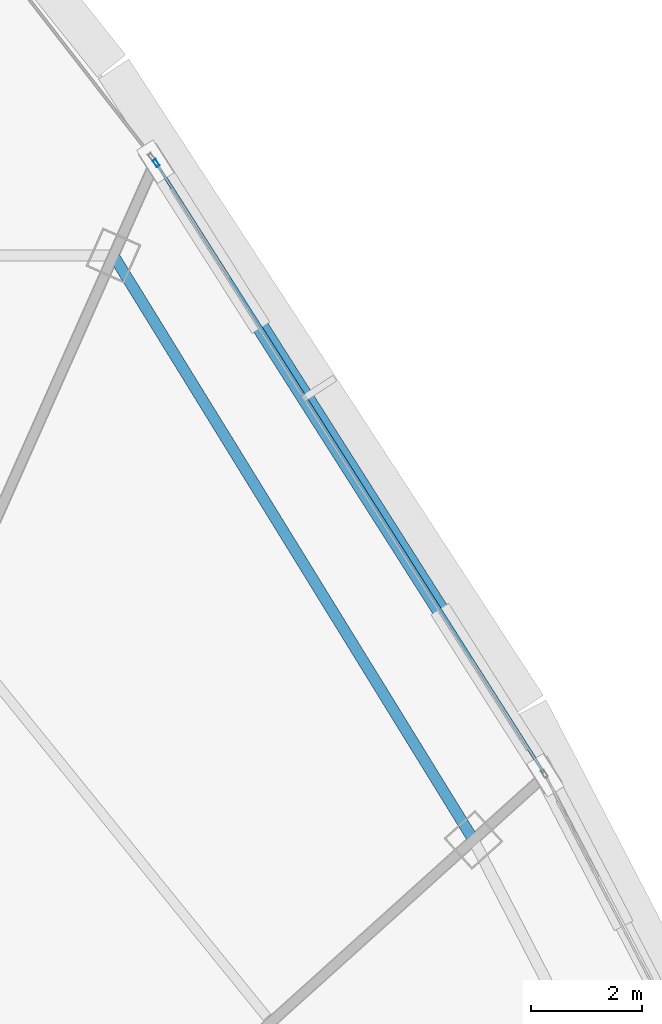
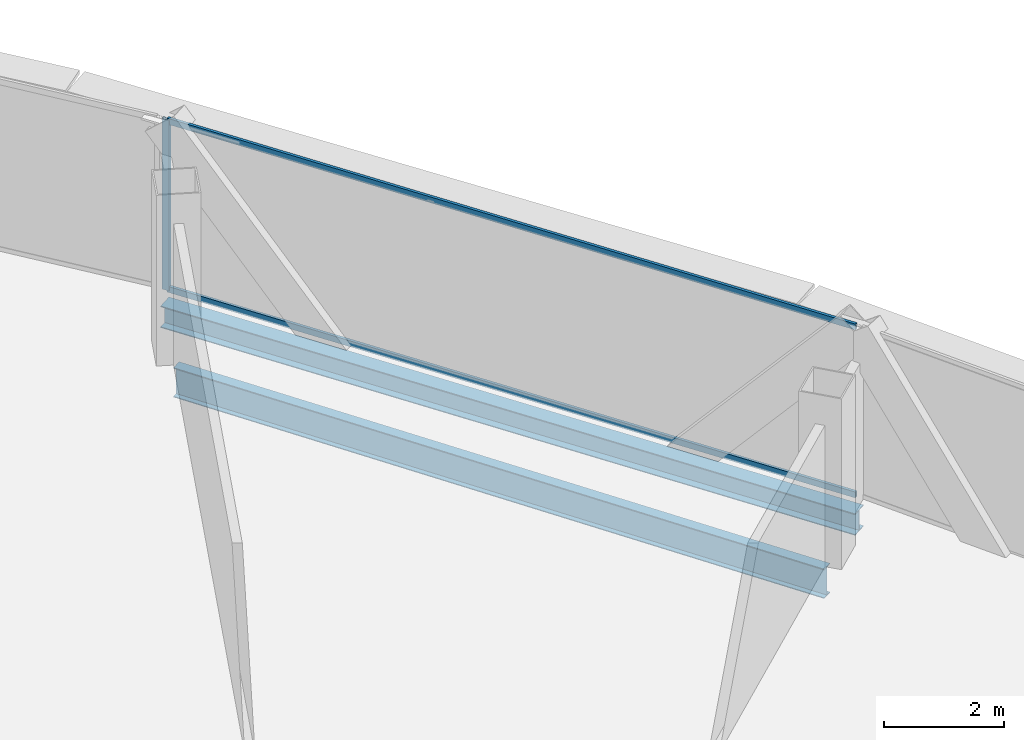
# One storey, part 24 of 35: 3 members, 2 beams, 1 element without a shape of its own.
"""IFC4 building model written with IfcOpenShell, lengths in metres."""

from ifc_helpers import new_model, si_unit, direction, frame, origin, origin_2d, place, context, subcontext, project, spatial, hollow_rectangle, i_section, extrude, source, transform, mapped, material, layer, layer_set, material_profile, profile_set, type_object, element, aggregate, save


model = new_model("IFC4")

# Units and contexts
model_context = context("Model", 3, precision=1e-05, world=origin(), true_north=direction((0.0, 1.0)))
body_context = subcontext(model_context, "Body", "Model", "MODEL_VIEW")
ifc_project = project(units=[si_unit("LENGTHUNIT", "METRE"), si_unit("AREAUNIT", "SQUARE_METRE"), si_unit("VOLUMEUNIT", "CUBIC_METRE"), si_unit("PLANEANGLEUNIT", "RADIAN"), si_unit("MASSUNIT", "GRAM", prefix="KILO"), si_unit("THERMODYNAMICTEMPERATUREUNIT", "KELVIN"), si_unit("POWERUNIT", "WATT")], contexts=[model_context])

# Site, building, storey
site_placement = place(None, origin())
site = spatial("IfcSite", under=ifc_project, at=site_placement, CompositionType="ELEMENT")
building_placement = place(site_placement, origin())
building = spatial("IfcBuilding", under=site, at=building_placement, Name="Yunzhuo Pagoda Commons", CompositionType="ELEMENT")
storey_placement = place(building_placement, frame((0.0, 0.0, 299.93994140625)))
storey = spatial("IfcBuildingStorey", under=building, at=storey_placement, Name="L75", CompositionType="ELEMENT", Elevation=299.93994140625)

# Beams
ifc_material_1 = material(Name="Structural steel Q355B", Category="steel")
ifc_material_profile_1 = material_profile(ifc_material_1, i_section(OverallWidth=0.199951171875, OverallDepth=0.60009765625, WebThickness=0.010986328125, FlangeThickness=0.01708984375, at=origin_2d()), Name="Structural steel Q355B")
ifc_profile_set_1 = profile_set([ifc_material_profile_1], Name="Structural steel Q355B")
beam_type_1 = type_object("IfcBeamType", Name="B-RG3 Beam HN 600x200x11x17", PredefinedType="BEAM", material=ifc_profile_set_1)
shared_shape_1 = source(origin(), body_context, "Body", "SweptSolid", [
    extrude(i_section(OverallWidth=0.199951171875, OverallDepth=0.60009765625, WebThickness=0.010986328125, FlangeThickness=0.01708984375, at=origin_2d()), origin(), (0.0, 0.0, 1.0), 12.315185546875),
])
beam_1_placement = place(storey_placement, frame((66.5732421875, 50.423583984375, -0.56005859375), z_axis=(-0.524469015689, 0.851429534126, 0.0), x_axis=(-0.851429534126, -0.524469015689, 0.0)))
element("IfcBeam", 1, at=beam_1_placement, inside=storey, type_object=beam_type_1, Name="L75 column-ring beam 7", PredefinedType="BEAM", context=body_context, shape_type="MappedRepresentation", body=[
    mapped(shared_shape_1, transform((0.0, 0.0, 0.0), scale=1.0)),
])
ifc_material_profile_2 = material_profile(ifc_material_1, i_section(OverallWidth=0.300048828125, OverallDepth=0.43994140625, WebThickness=0.010986328125, FlangeThickness=0.01806640625, at=origin_2d()), Name="Structural steel Q355B")
ifc_profile_set_2 = profile_set([ifc_material_profile_2], Name="Structural steel Q355B")
beam_type_2 = type_object("IfcBeamType", Name="B-SP2 Beam HM 440x300x11x18", PredefinedType="BEAM", material=ifc_profile_set_2)
shared_shape_2 = source(origin(), body_context, "Body", "SweptSolid", [
    extrude(i_section(OverallWidth=0.300048828125, OverallDepth=0.43994140625, WebThickness=0.010986328125, FlangeThickness=0.01806640625, at=origin_2d()), origin(), (0.0, 0.0, 1.0), 13.04541015625),
])
beam_2_placement = place(storey_placement, frame((67.86328125, 51.5849609375, -0.47998046875), z_axis=(-0.536495198362, 0.84390337251, 0.0), x_axis=(-0.84390337251, -0.536495198362, 0.0)))
element("IfcBeam", 2, at=beam_2_placement, inside=storey, type_object=beam_type_2, Name="L75 facade edge spandrel beam F2.3", PredefinedType="BEAM", context=body_context, shape_type="MappedRepresentation", body=[
    mapped(shared_shape_2, transform((0.0, 0.0, 0.0), scale=1.0)),
])

# Curtain wall, members
ifc_material_2 = material(Name="Anodized aluminium 6063-T6", Category="aluminium")
ifc_layer = layer(ifc_material_2, 0.139892578125)
ifc_layer_set = layer_set([ifc_layer], Name="Anodized aluminium 6063-T6")
curtain_wall_type = type_object("IfcCurtainWallType", Name="CW-HI High-Zone Ribbon Curtain Wall", PredefinedType="NOTDEFINED", material=ifc_layer_set)
curtain_wall_placement = place(storey_placement, origin())
curtain_wall = element("IfcCurtainWall", 3, at=curtain_wall_placement, inside=storey, type_object=curtain_wall_type, Name="L75 curtain wall CW-L75-F2B4", PredefinedType="NOTDEFINED")
ifc_material_profile_3 = material_profile(ifc_material_2, hollow_rectangle(XDim=0.06005859375, YDim=0.139892578125, WallThickness=0.00341796875, at=origin_2d()), Name="Anodized aluminium 6063-T6")
ifc_profile_set_3 = profile_set([ifc_material_profile_3], Name="Anodized aluminium 6063-T6")
member_type_1 = type_object("IfcMemberType", Name="CW-HI-M Mullion RHS 140x60x3.5", PredefinedType="MULLION", material=ifc_profile_set_3)
shared_shape_3 = source(origin(), body_context, "Body", "SweptSolid", [
    extrude(hollow_rectangle(XDim=0.06005859375, YDim=0.139892578125, WallThickness=0.00341796875, at=origin_2d()), origin(), (0.0, 0.0, 1.0), 3.469970703125),
])
member_1_placement = place(storey_placement, frame((60.880615234375, 62.56884765625, 0.0), z_axis=(0.0, 0.0, 1.0), x_axis=(-0.843909804597, -0.536485080599, 0.0)))
member_1 = element("IfcMember", 4, at=member_1_placement, type_object=member_type_1, Name="CW mullion 2", PredefinedType="MULLION", context=body_context, shape_type="MappedRepresentation", body=[
    mapped(shared_shape_3, transform((0.0, 0.0, 0.0), scale=1.0)),
])
ifc_material_profile_4 = material_profile(ifc_material_2, hollow_rectangle(XDim=0.054931640625, YDim=0.1201171875, WallThickness=0.00341796875, at=origin_2d()), Name="Anodized aluminium 6063-T6")
ifc_profile_set_4 = profile_set([ifc_material_profile_4], Name="Anodized aluminium 6063-T6")
member_type_2 = type_object("IfcMemberType", Name="CW-HI-T Transom RHS 120x55x3.5", PredefinedType="USERDEFINED", material=ifc_profile_set_4)
shared_shape_4 = source(origin(), body_context, "Body", "SweptSolid", [
    extrude(hollow_rectangle(XDim=0.054931640625, YDim=0.1201171875, WallThickness=0.00341796875, at=origin_2d()), origin(), (0.0, 0.0, 1.0), 12.92529296875),
])
member_2_placement = place(storey_placement, frame((67.8310546875, 51.635498046875, 0.027587890625), z_axis=(-0.536470883465, 0.84391882974, 0.0), x_axis=(-0.84391882974, -0.536470883465, 0.0)))
member_2 = element("IfcMember", 5, at=member_2_placement, type_object=member_type_2, Name="CW transom 1.1", ObjectType="TRANSOM", PredefinedType="USERDEFINED", context=body_context, shape_type="MappedRepresentation", body=[
    mapped(shared_shape_4, transform((0.0, 0.0, 0.0), scale=1.0)),
])
member_3_placement = place(storey_placement, frame((67.8310546875, 51.635498046875, 3.442626953125), z_axis=(-0.536470883465, 0.84391882974, 0.0), x_axis=(-0.84391882974, -0.536470883465, 0.0)))
member_3 = element("IfcMember", 6, at=member_3_placement, type_object=member_type_2, Name="CW transom 1.2", ObjectType="TRANSOM", PredefinedType="USERDEFINED", context=body_context, shape_type="MappedRepresentation", body=[
    mapped(shared_shape_4, transform((0.0, 0.0, 0.0), scale=1.0)),
])
aggregate(curtain_wall, [member_1, member_2, member_3])

save(model, "model.ifc")
